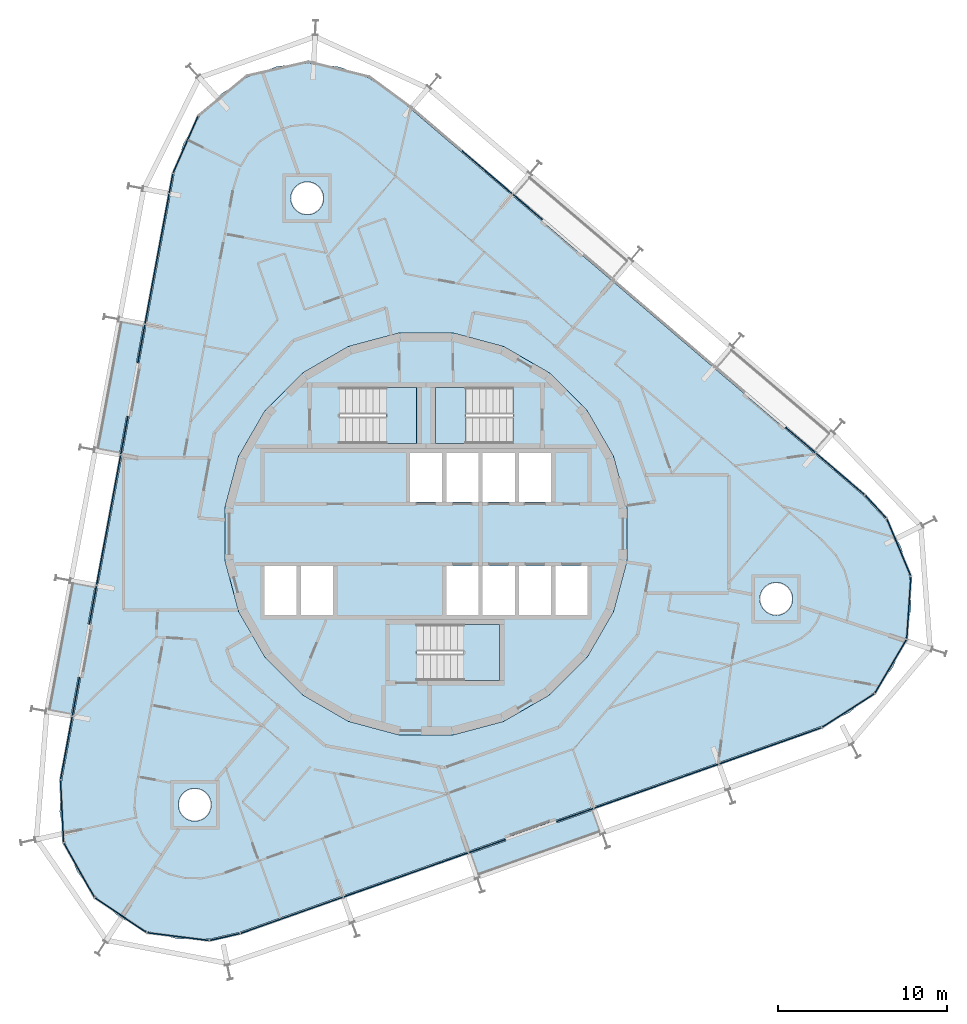
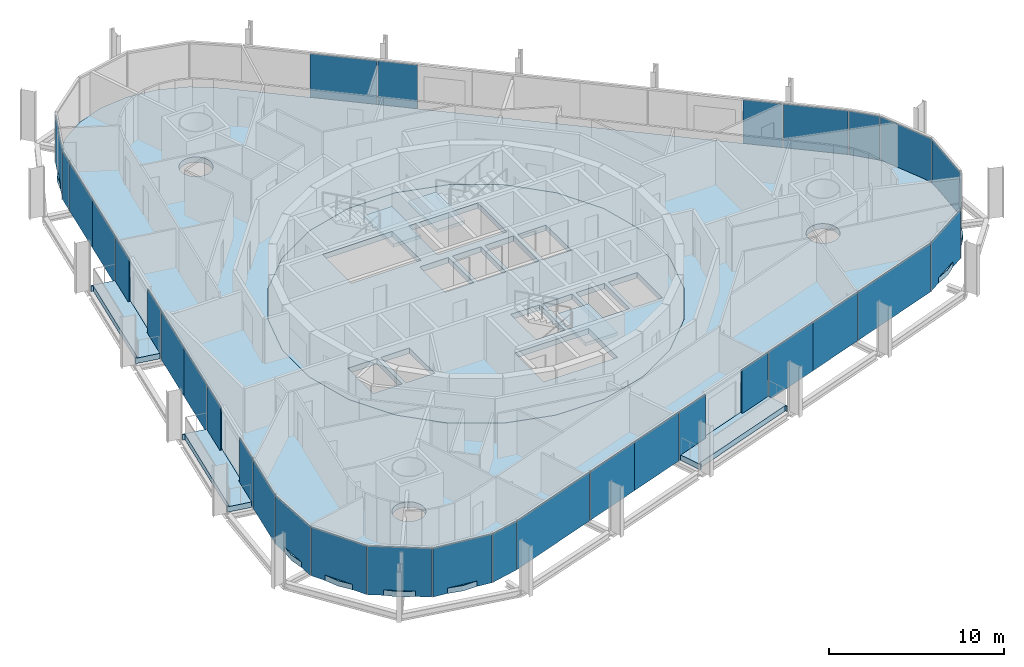
# One storey, part 9 of 17: 33 plates, 8 slabs, 9 elements without a shape of their own.
"""IFC4 building model written with IfcOpenShell, lengths in metres."""

from ifc_helpers import new_model, si_unit, direction, frame, origin, origin_2d, place, context, subcontext, project, spatial, polyline, rectangle, outline, extrude, material, layer, layer_set, type_object, element, aggregate, save


model = new_model("IFC4")

# Units and contexts
model_context = context("Model", 3, precision=1e-05, world=origin(), true_north=direction((0.0, 1.0)))
body_context = subcontext(model_context, "Body", "Model", "MODEL_VIEW")
ifc_project = project(units=[si_unit("LENGTHUNIT", "METRE"), si_unit("AREAUNIT", "SQUARE_METRE"), si_unit("VOLUMEUNIT", "CUBIC_METRE"), si_unit("PLANEANGLEUNIT", "RADIAN"), si_unit("MASSUNIT", "GRAM", prefix="KILO")], contexts=[model_context])

# Site, building, storey
site_placement = place(None, origin())
site = spatial("IfcSite", under=ifc_project, at=site_placement, CompositionType="ELEMENT")
building_placement = place(site_placement, origin())
building = spatial("IfcBuilding", under=site, at=building_placement, Name="Spindle Arch Residences", CompositionType="ELEMENT")
storey_placement = place(building_placement, frame((0.0, 0.0, 176.199951171875)))
storey = spatial("IfcBuildingStorey", under=building, at=storey_placement, Name="L44", CompositionType="ELEMENT", Elevation=176.199951171875)

# Slabs
ifc_material_1 = material(Name="Concrete C40/50", Category="concrete")
ifc_layer_1 = layer(ifc_material_1, 0.3798828125)
ifc_layer_set_1 = layer_set([ifc_layer_1], Name="Balcony slab 380")
slab_type_1 = type_object("IfcSlabType", Name="Balcony slab 380", PredefinedType="FLOOR", material=ifc_layer_set_1)
slab_1_placement = place(storey_placement, frame((0.0, 0.0, -0.3798828125)))
element("IfcSlab", 1, at=slab_1_placement, inside=storey, type_object=slab_type_1, Name="Balcony L44 bay 14", PredefinedType="FLOOR", context=body_context, shape_type="SweptSolid", body=[
    extrude(outline(polyline([(-18.1875, 12.620849609375), (-18.201171875, 12.547119140625), (-18.0537109375, 12.519775390625), (-19.431396484375, 5.086181640625), (-19.578857421875, 5.113525390625), (-19.592529296875, 5.039794921875), (-18.12744140625, 4.768310546875), (-17.716552734375, 6.985595703125), (-17.559326171875, 6.95654296875), (-16.97607421875, 10.102783203125), (-17.133544921875, 10.132080078125), (-16.722412109375, 12.349365234375), (-18.1875, 12.620849609375)])), origin(), (0.0, 0.0, 1.0), 0.3798828125),
])
slab_2_placement = place(storey_placement, frame((0.0, 0.0, -0.3798828125)))
element("IfcSlab", 2, at=slab_2_placement, inside=storey, type_object=slab_type_1, Name="Balcony L44 bay 16", PredefinedType="FLOOR", context=body_context, shape_type="SweptSolid", body=[
    extrude(outline(polyline([(-21.05224609375, -2.836181640625), (-21.06591796875, -2.909912109375), (-20.91845703125, -2.937255859375), (-22.296142578125, -10.37060546875), (-22.443603515625, -10.34326171875), (-22.457275390625, -10.4169921875), (-20.9921875, -10.6884765625), (-20.581298828125, -8.47119140625), (-20.424072265625, -8.50048828125), (-19.8408203125, -5.35400390625), (-19.998291015625, -5.324951171875), (-19.587158203125, -3.107666015625), (-21.05224609375, -2.836181640625)])), origin(), (0.0, 0.0, 1.0), 0.3798828125),
])
slab_3_placement = place(storey_placement, frame((0.0, 0.0, -0.3798828125)))
element("IfcSlab", 3, at=slab_3_placement, inside=storey, type_object=slab_type_1, Name="Balcony L44 bay 22", PredefinedType="FLOOR", context=body_context, shape_type="SweptSolid", body=[
    extrude(outline(polyline([(3.103271484375, -20.31201171875), (3.174072265625, -20.287109375), (3.1240234375, -20.145751953125), (10.250244140625, -17.6220703125), (10.300537109375, -17.763427734375), (10.37109375, -17.738525390625), (9.873779296875, -16.333984375), (7.748046875, -17.086669921875), (7.694580078125, -16.935791015625), (4.67822265625, -18.00390625), (4.731689453125, -18.15478515625), (2.60595703125, -18.907470703125), (3.103271484375, -20.31201171875)])), origin(), (0.0, 0.0, 1.0), 0.3798828125),
])
ifc_material_2 = material(Name="Concrete C50/60", Category="concrete")
ifc_layer_2 = layer(ifc_material_2, 0.3798828125)
ifc_layer_set_2 = layer_set([ifc_layer_2], Name="Core floor slab 380")
slab_type_2 = type_object("IfcSlabType", Name="Core floor slab 380", PredefinedType="FLOOR", material=ifc_layer_set_2)
slab_4_placement = place(storey_placement, frame((0.0, 0.0, -0.3798828125)))
element("IfcSlab", 4, at=slab_4_placement, inside=storey, type_object=slab_type_2, Name="Core floor L44", PredefinedType="FLOOR", context=body_context, shape_type="SweptSolid", body=[
    extrude(outline(polyline([(1.56640625, -11.897216796875), (4.59228515625, -11.086669921875), (7.30517578125, -9.520263671875), (9.520263671875, -7.30517578125), (11.086669921875, -4.59228515625), (11.897216796875, -1.56640625), (11.897216796875, 1.56640625), (11.086669921875, 4.59228515625), (9.520263671875, 7.30517578125), (7.30517578125, 9.520263671875), (4.59228515625, 11.086669921875), (1.56640625, 11.897216796875), (-1.56640625, 11.897216796875), (-4.59228515625, 11.086669921875), (-7.30517578125, 9.520263671875), (-9.520263671875, 7.30517578125), (-11.086669921875, 4.59228515625), (-11.897216796875, 1.56640625), (-11.897216796875, -1.56640625), (-11.086669921875, -4.59228515625), (-9.520263671875, -7.30517578125), (-7.30517578125, -9.520263671875), (-4.59228515625, -11.086669921875), (-1.56640625, -11.897216796875), (1.56640625, -11.897216796875)]), holes=[polyline([(-0.949951171875, 1.89990234375), (0.949951171875, 1.89990234375), (0.949951171875, 4.800048828125), (-0.949951171875, 4.800048828125), (-0.949951171875, 1.89990234375)]), polyline([(1.199951171875, 1.89990234375), (3.10009765625, 1.89990234375), (3.10009765625, 4.800048828125), (1.199951171875, 4.800048828125), (1.199951171875, 1.89990234375)]), polyline([(3.35009765625, 1.89990234375), (5.25, 1.89990234375), (5.25, 4.800048828125), (3.35009765625, 4.800048828125), (3.35009765625, 1.89990234375)]), polyline([(5.5, 1.89990234375), (7.39990234375, 1.89990234375), (7.39990234375, 4.800048828125), (5.5, 4.800048828125), (5.5, 1.89990234375)]), polyline([(-9.550048828125, -4.800048828125), (-7.64990234375, -4.800048828125), (-7.64990234375, -1.89990234375), (-9.550048828125, -1.89990234375), (-9.550048828125, -4.800048828125)]), polyline([(-7.39990234375, -4.800048828125), (-5.5, -4.800048828125), (-5.5, -1.89990234375), (-7.39990234375, -1.89990234375), (-7.39990234375, -4.800048828125)]), polyline([(1.199951171875, -4.800048828125), (3.10009765625, -4.800048828125), (3.10009765625, -1.89990234375), (1.199951171875, -1.89990234375), (1.199951171875, -4.800048828125)]), polyline([(3.35009765625, -4.800048828125), (5.25, -4.800048828125), (5.25, -1.89990234375), (3.35009765625, -1.89990234375), (3.35009765625, -4.800048828125)]), polyline([(5.5, -4.800048828125), (7.39990234375, -4.800048828125), (7.39990234375, -1.89990234375), (5.5, -1.89990234375), (5.5, -4.800048828125)]), polyline([(7.64990234375, -4.800048828125), (9.550048828125, -4.800048828125), (9.550048828125, -1.89990234375), (7.64990234375, -1.89990234375), (7.64990234375, -4.800048828125)]), polyline([(5.1298828125, 8.669921875), (0.550048828125, 8.669921875), (0.550048828125, 5.35009765625), (5.1298828125, 5.35009765625), (5.1298828125, 8.669921875)]), polyline([(-5.1298828125, 5.35009765625), (-0.550048828125, 5.35009765625), (-0.550048828125, 8.669921875), (-5.1298828125, 8.669921875), (-5.1298828125, 5.35009765625)]), polyline([(-0.530029296875, -8.669921875), (4.35009765625, -8.669921875), (4.35009765625, -5.35009765625), (-0.530029296875, -5.35009765625), (-0.530029296875, -8.669921875)])]), origin(), (0.0, 0.0, 1.0), 0.3798828125),
])

# Stair, slab
ifc_material_3 = material(Name="Concrete C50/60", Category="concrete")
stair_type = type_object("IfcStairType", Name="Exit stair 16 risers", PredefinedType="HALF_TURN_STAIR", material=ifc_material_3)
stair_1_placement = place(storey_placement, origin())
stair_1 = element("IfcStair", 5, at=stair_1_placement, inside=storey, type_object=stair_type, Name="L44 Exit stair ST1", PredefinedType="HALF_TURN_STAIR")
ifc_material_4 = material(Name="Concrete C50/60", Category="concrete")
ifc_layer_3 = layer(ifc_material_4, 0.219970703125)
ifc_layer_set_3 = layer_set([ifc_layer_3], Name="Exit stair landing 220")
slab_type_3 = type_object("IfcSlabType", Name="Exit stair landing 220", PredefinedType="LANDING", material=ifc_layer_set_3)
slab_5_placement = place(storey_placement, frame((0.0, 0.0, 1.530029296875)))
slab_5 = element("IfcSlab", 6, at=slab_5_placement, type_object=slab_type_3, Name="ST1 landing 1", PredefinedType="LANDING", context=body_context, shape_type="SweptSolid", body=[
    extrude(outline(polyline([(2.3701171875, 8.669921875), (0.550048828125, 8.669921875), (0.550048828125, 5.35009765625), (2.3701171875, 5.35009765625), (2.3701171875, 8.669921875)])), origin(), (0.0, 0.0, 1.0), 0.219970703125),
])
aggregate(stair_1, [slab_5])

stair_2_placement = place(storey_placement, origin())
stair_2 = element("IfcStair", 7, at=stair_2_placement, inside=storey, type_object=stair_type, Name="L44 Exit stair ST2", PredefinedType="HALF_TURN_STAIR")
slab_6_placement = place(storey_placement, frame((0.0, 0.0, 1.530029296875)))
slab_6 = element("IfcSlab", 8, at=slab_6_placement, type_object=slab_type_3, Name="ST2 landing 1", PredefinedType="LANDING", context=body_context, shape_type="SweptSolid", body=[
    extrude(outline(polyline([(-2.3701171875, 5.35009765625), (-0.550048828125, 5.35009765625), (-0.550048828125, 8.669921875), (-2.3701171875, 8.669921875), (-2.3701171875, 5.35009765625)])), origin(), (0.0, 0.0, 1.0), 0.219970703125),
])
aggregate(stair_2, [slab_6])

stair_3_placement = place(storey_placement, origin())
stair_3 = element("IfcStair", 9, at=stair_3_placement, inside=storey, type_object=stair_type, Name="L44 Exit stair ST3", PredefinedType="HALF_TURN_STAIR")
slab_7_placement = place(storey_placement, frame((0.0, 0.0, 1.530029296875)))
slab_7 = element("IfcSlab", 10, at=slab_7_placement, type_object=slab_type_3, Name="ST3 landing 1", PredefinedType="LANDING", context=body_context, shape_type="SweptSolid", body=[
    extrude(outline(polyline([(2.22998046875, -8.669921875), (4.35009765625, -8.669921875), (4.35009765625, -5.35009765625), (2.22998046875, -5.35009765625), (2.22998046875, -8.669921875)])), origin(), (0.0, 0.0, 1.0), 0.219970703125),
])
aggregate(stair_3, [slab_7])

# Slab
ifc_material_5 = material(Name="Concrete C40/50", Category="concrete")
ifc_layer_4 = layer(ifc_material_5, 0.3798828125)
ifc_layer_set_4 = layer_set([ifc_layer_4], Name="Floor slab 380")
slab_type_4 = type_object("IfcSlabType", Name="Floor slab 380", PredefinedType="FLOOR", material=ifc_layer_set_4)
slab_8_placement = place(storey_placement, frame((0.0, 0.0, -0.3798828125)))
element("IfcSlab", 11, at=slab_8_placement, inside=storey, type_object=slab_type_4, Name="Floor slab L44", PredefinedType="FLOOR", context=body_context, shape_type="SweptSolid", body=[
    extrude(outline(polyline([(-12.82177734375, -23.972412109375), (-14.67919921875, -23.9560546875), (-16.48291015625, -23.511962890625), (-18.135498046875, -22.663818359375), (-19.5478515625, -21.45751953125), (-20.64404296875, -19.9580078125), (-21.36474609375, -18.24609375), (-21.67138671875, -16.4140625), (-21.547119140625, -14.560791015625), (-14.89794921875, 21.3154296875), (-14.349609375, 23.090087890625), (-13.406982421875, 24.690673828125), (-12.12060546875, 26.030517578125), (-10.559814453125, 27.03759765625), (-8.808837890625, 27.65771484375), (-6.962158203125, 27.857421875), (-5.119140625, 27.62548828125), (-3.37939453125, 26.97509765625), (-1.83642578125, 25.94091796875), (25.90869140625, 2.244384765625), (27.171630859375, 0.882080078125), (28.086181640625, -0.734619140625), (28.603515625, -2.5185546875), (28.6953125, -4.373779296875), (28.356689453125, -6.2001953125), (27.606201171875, -7.8994140625), (26.48388671875, -9.37939453125), (25.05078125, -10.56103515625), (23.383544921875, -11.380126953125), (6.186279296875, -17.469970703125), (-11.0107421875, -23.559814453125), (-12.82177734375, -23.972412109375)]), holes=[polyline([(7.30517578125, -9.520263671875), (9.520263671875, -7.30517578125), (11.086669921875, -4.59228515625), (11.897216796875, -1.56640625), (11.897216796875, 1.56640625), (11.086669921875, 4.59228515625), (9.520263671875, 7.30517578125), (7.30517578125, 9.520263671875), (4.59228515625, 11.086669921875), (1.56640625, 11.897216796875), (-1.56640625, 11.897216796875), (-4.59228515625, 11.086669921875), (-7.30517578125, 9.520263671875), (-9.520263671875, 7.30517578125), (-11.086669921875, 4.59228515625), (-11.897216796875, 1.56640625), (-11.897216796875, -1.56640625), (-11.086669921875, -4.59228515625), (-9.520263671875, -7.30517578125), (-7.30517578125, -9.520263671875), (-4.59228515625, -11.086669921875), (-1.56640625, -11.897216796875), (1.56640625, -11.897216796875), (4.59228515625, -11.086669921875), (7.30517578125, -9.520263671875)]), polyline([(-12.99169921875, -16.7080078125), (-12.87060546875, -16.560302734375), (-12.780517578125, -16.3916015625), (-12.724853515625, -16.208740234375), (-12.706298828125, -16.0185546875), (-12.724853515625, -15.828369140625), (-12.780517578125, -15.6455078125), (-12.87060546875, -15.476806640625), (-12.99169921875, -15.3291015625), (-13.139404296875, -15.2080078125), (-13.30810546875, -15.117919921875), (-13.490966796875, -15.062255859375), (-13.68115234375, -15.043701171875), (-13.871337890625, -15.062255859375), (-14.05419921875, -15.117919921875), (-14.222900390625, -15.2080078125), (-14.37060546875, -15.3291015625), (-14.491943359375, -15.476806640625), (-14.58203125, -15.6455078125), (-14.637451171875, -15.828369140625), (-14.65625, -16.0185546875), (-14.637451171875, -16.208740234375), (-14.58203125, -16.3916015625), (-14.491943359375, -16.560302734375), (-14.37060546875, -16.7080078125), (-14.222900390625, -16.829345703125), (-14.05419921875, -16.91943359375), (-13.871337890625, -16.974853515625), (-13.68115234375, -16.99365234375), (-13.490966796875, -16.974853515625), (-13.30810546875, -16.91943359375), (-13.139404296875, -16.829345703125), (-12.99169921875, -16.7080078125)]), polyline([(-6.22119140625, 19.31591796875), (-6.131103515625, 19.484619140625), (-6.07568359375, 19.66748046875), (-6.056884765625, 19.857666015625), (-6.07568359375, 20.0478515625), (-6.131103515625, 20.230712890625), (-6.22119140625, 20.3994140625), (-6.342529296875, 20.547119140625), (-6.490234375, 20.668212890625), (-6.65869140625, 20.75830078125), (-6.841796875, 20.81396484375), (-7.031982421875, 20.83251953125), (-7.22216796875, 20.81396484375), (-7.405029296875, 20.75830078125), (-7.573486328125, 20.668212890625), (-7.72119140625, 20.547119140625), (-7.842529296875, 20.3994140625), (-7.9326171875, 20.230712890625), (-7.98828125, 20.0478515625), (-8.0068359375, 19.857666015625), (-7.98828125, 19.66748046875), (-7.9326171875, 19.484619140625), (-7.842529296875, 19.31591796875), (-7.72119140625, 19.168212890625), (-7.573486328125, 19.046875), (-7.405029296875, 18.956787109375), (-7.22216796875, 18.9013671875), (-7.031982421875, 18.882568359375), (-6.841796875, 18.9013671875), (-6.65869140625, 18.956787109375), (-6.490234375, 19.046875), (-6.342529296875, 19.168212890625), (-6.22119140625, 19.31591796875)]), polyline([(21.523681640625, -4.380615234375), (21.614013671875, -4.212158203125), (21.66943359375, -4.029296875), (21.68798828125, -3.839111328125), (21.66943359375, -3.648681640625), (21.614013671875, -3.4658203125), (21.523681640625, -3.29736328125), (21.402587890625, -3.149658203125), (21.2548828125, -3.0283203125), (21.086181640625, -2.938232421875), (20.9033203125, -2.8828125), (20.713134765625, -2.864013671875), (20.52294921875, -2.8828125), (20.340087890625, -2.938232421875), (20.17138671875, -3.0283203125), (20.023681640625, -3.149658203125), (19.90234375, -3.29736328125), (19.812255859375, -3.4658203125), (19.7568359375, -3.648681640625), (19.738037109375, -3.839111328125), (19.7568359375, -4.029296875), (19.812255859375, -4.212158203125), (19.90234375, -4.380615234375), (20.023681640625, -4.5283203125), (20.17138671875, -4.649658203125), (20.340087890625, -4.73974609375), (20.52294921875, -4.79541015625), (20.713134765625, -4.81396484375), (20.9033203125, -4.79541015625), (21.086181640625, -4.73974609375), (21.2548828125, -4.649658203125), (21.402587890625, -4.5283203125), (21.523681640625, -4.380615234375)])]), origin(), (0.0, 0.0, 1.0), 0.3798828125),
])

# Curtain wall, plates
ifc_material_6 = material(Name="Aluminium bronze unitised frame with tinted glass", Category="aluminium")
ifc_layer_5 = layer(ifc_material_6, 0.159912109375)
ifc_layer_set_5 = layer_set([ifc_layer_5], Name="CW-D corner wall on the fillet arcs")
curtain_wall_type_1 = type_object("IfcCurtainWallType", Name="CW-D corner wall on the fillet arcs", PredefinedType="NOTDEFINED", material=ifc_layer_set_5)
curtain_wall_1_placement = place(storey_placement, origin())
curtain_wall_1 = element("IfcCurtainWall", 12, at=curtain_wall_1_placement, inside=storey, type_object=curtain_wall_type_1, Name="CW-D L44 run 1", PredefinedType="NOTDEFINED")
ifc_material_7 = material(Name="Tinted double glazing over aluminium faced non-combustible spandrel zone (K0)", Category="aluminium")
ifc_layer_6 = layer(ifc_material_7, 0.06005859375)
ifc_layer_set_6 = layer_set([ifc_layer_6], Name="Unitised glass panel with E 60 spandrel zone")
plate_type = type_object("IfcPlateType", Name="Unitised glass panel with E 60 spandrel zone", PredefinedType="CURTAIN_PANEL", material=ifc_layer_set_6)
plate_1_placement = place(storey_placement, frame((20.36865234375, -12.53271484375, -0.3798828125), z_axis=(0.0, 0.0, 1.0), x_axis=(0.942641491092, 0.333806859234, 0.0)))
plate_1 = element("IfcPlate", 13, at=plate_1_placement, type_object=plate_type, Name="CW-D unit 00", PredefinedType="CURTAIN_PANEL", context=body_context, shape_type="SweptSolid", body=[
    extrude(rectangle(XDim=6.3935546875, YDim=0.06005859375, at=origin_2d()), origin(), (0.0, 0.0, 1.0), 3.3798828125),
])
plate_2_placement = place(storey_placement, frame((24.97607421875, -10.445068359375, -0.3798828125), z_axis=(0.0, 0.0, 1.0), x_axis=(0.840251309898, 0.542197137778, 0.0)))
plate_2 = element("IfcPlate", 14, at=plate_2_placement, type_object=plate_type, Name="CW-D unit 01", PredefinedType="CURTAIN_PANEL", context=body_context, shape_type="SweptSolid", body=[
    extrude(rectangle(XDim=3.666748046875, YDim=0.06005859375, at=origin_2d()), origin(), (0.0, 0.0, 1.0), 3.3798828125),
])
plate_3_placement = place(storey_placement, frame((27.487548828125, -7.829345703125, -0.3798828125), z_axis=(0.0, 0.0, 1.0), x_axis=(0.507538365713, 0.86162915882, 0.0)))
plate_3 = element("IfcPlate", 15, at=plate_3_placement, type_object=plate_type, Name="CW-D unit 02", PredefinedType="CURTAIN_PANEL", context=body_context, shape_type="SweptSolid", body=[
    extrude(rectangle(XDim=3.666748046875, YDim=0.06005859375, at=origin_2d()), origin(), (0.0, 0.0, 1.0), 3.3798828125),
])
plate_4_placement = place(storey_placement, frame((28.557861328125, -4.364501953125, -0.3798828125), z_axis=(0.0, 0.0, 1.0), x_axis=(0.066854392204, 0.997762742461, 0.0)))
plate_4 = element("IfcPlate", 16, at=plate_4_placement, type_object=plate_type, Name="CW-D unit 03", PredefinedType="CURTAIN_PANEL", context=body_context, shape_type="SweptSolid", body=[
    extrude(rectangle(XDim=3.666748046875, YDim=0.06005859375, at=origin_2d()), origin(), (0.0, 0.0, 1.0), 3.3798828125),
])
plate_5_placement = place(storey_placement, frame((27.959228515625, -0.7880859375, -0.3798828125), z_axis=(0.0, 0.0, 1.0), x_axis=(-0.388051836633, 0.921637549195, 0.0)))
plate_5 = element("IfcPlate", 17, at=plate_5_placement, type_object=plate_type, Name="CW-D unit 04", PredefinedType="CURTAIN_PANEL", context=body_context, shape_type="SweptSolid", body=[
    extrude(rectangle(XDim=3.666748046875, YDim=0.06005859375, at=origin_2d()), origin(), (0.0, 0.0, 1.0), 3.3798828125),
])
plate_6_placement = place(storey_placement, frame((26.598388671875, 1.6171875, -0.3798828125), z_axis=(0.0, 0.0, 1.0), x_axis=(-0.679868057543, 0.733334455983, 0.0)))
plate_6 = element("IfcPlate", 18, at=plate_6_placement, type_object=plate_type, Name="CW-D unit 05", PredefinedType="CURTAIN_PANEL", context=body_context, shape_type="SweptSolid", body=[
    extrude(rectangle(XDim=1.816162109375, YDim=0.06005859375, at=origin_2d()), origin(), (0.0, 0.0, 1.0), 3.3798828125),
])
plate_7_placement = place(storey_placement, frame((24.503173828125, 3.550048828125, -0.3798828125), z_axis=(0.0, 0.0, 1.0), x_axis=(-0.7604059656, 0.64944804833, 0.0)))
plate_7 = element("IfcPlate", 19, at=plate_7_placement, type_object=plate_type, Name="CW-D unit 06", PredefinedType="CURTAIN_PANEL", context=body_context, shape_type="SweptSolid", body=[
    extrude(rectangle(XDim=3.7734375, YDim=0.06005859375, at=origin_2d()), origin(), (0.0, 0.0, 1.0), 3.3798828125),
])
aggregate(curtain_wall_1, [plate_1, plate_2, plate_3, plate_4, plate_5, plate_6, plate_7])

ifc_material_8 = material(Name="Aluminium bronze unitised frame with tinted glass", Category="aluminium")
ifc_layer_7 = layer(ifc_material_8, 0.159912109375)
ifc_layer_set_7 = layer_set([ifc_layer_7], Name="CW-C typical residential unitised wall")
curtain_wall_type_2 = type_object("IfcCurtainWallType", Name="CW-C typical residential unitised wall", PredefinedType="NOTDEFINED", material=ifc_layer_set_7)
curtain_wall_2_placement = place(storey_placement, origin())
curtain_wall_2 = element("IfcCurtainWall", 20, at=curtain_wall_2_placement, inside=storey, type_object=curtain_wall_type_2, Name="CW-C L44 run 2", PredefinedType="NOTDEFINED")
plate_8_placement = place(storey_placement, frame((22.1484375, 5.56103515625, -0.3798828125), z_axis=(0.0, 0.0, 1.0), x_axis=(-0.7604059656, 0.64944804833, 0.0)))
plate_8 = element("IfcPlate", 21, at=plate_8_placement, type_object=plate_type, Name="CW-C unit 05L", PredefinedType="CURTAIN_PANEL", context=body_context, shape_type="SweptSolid", body=[
    extrude(rectangle(XDim=2.300048828125, YDim=0.06005859375, at=origin_2d()), origin(), (0.0, 0.0, 1.0), 3.3798828125),
])
plate_9_placement = place(storey_placement, frame((6.012451171875, 19.342529296875, -0.3798828125), z_axis=(0.0, 0.0, 1.0), x_axis=(-0.7604059656, 0.64944804833, 0.0)))
plate_9 = element("IfcPlate", 22, at=plate_9_placement, type_object=plate_type, Name="CW-C unit 07R", PredefinedType="CURTAIN_PANEL", context=body_context, shape_type="SweptSolid", body=[
    extrude(rectangle(XDim=2.300048828125, YDim=0.06005859375, at=origin_2d()), origin(), (0.0, 0.0, 1.0), 3.3798828125),
])
plate_10_placement = place(storey_placement, frame((3.609619140625, 21.394775390625, -0.3798828125), z_axis=(0.0, 0.0, 1.0), x_axis=(-0.7604059656, 0.64944804833, 0.0)))
plate_10 = element("IfcPlate", 23, at=plate_10_placement, type_object=plate_type, Name="CW-C unit 08A", PredefinedType="CURTAIN_PANEL", context=body_context, shape_type="SweptSolid", body=[
    extrude(rectangle(XDim=3.900146484375, YDim=0.06005859375, at=origin_2d()), origin(), (0.0, 0.0, 1.0), 3.3798828125),
])
aggregate(curtain_wall_2, [plate_8, plate_9, plate_10])

curtain_wall_3_placement = place(storey_placement, origin())
curtain_wall_3 = element("IfcCurtainWall", 24, at=curtain_wall_3_placement, inside=storey, type_object=curtain_wall_type_1, Name="CW-D L44 run 3", PredefinedType="NOTDEFINED")
plate_11_placement = place(storey_placement, frame((-14.2236328125, 23.034423828125, -0.3798828125), z_axis=(0.0, 0.0, 1.0), x_axis=(-0.404077526853, -0.914724741271, 0.0)))
plate_11 = element("IfcPlate", 25, at=plate_11_placement, type_object=plate_type, Name="CW-D unit 04", PredefinedType="CURTAIN_PANEL", context=body_context, shape_type="SweptSolid", body=[
    extrude(rectangle(XDim=3.666748046875, YDim=0.06005859375, at=origin_2d()), origin(), (0.0, 0.0, 1.0), 3.3798828125),
])
plate_12_placement = place(storey_placement, frame((-15.087158203125, 20.7333984375, -0.3798828125), z_axis=(0.0, 0.0, 1.0), x_axis=(-0.182235525492, -0.983254907564, 0.0)))
plate_12 = element("IfcPlate", 26, at=plate_12_placement, type_object=plate_type, Name="CW-D unit 05", PredefinedType="CURTAIN_PANEL", context=body_context, shape_type="SweptSolid", body=[
    extrude(rectangle(XDim=1.1533203125, YDim=0.06005859375, at=origin_2d()), origin(), (0.0, 0.0, 1.0), 3.3798828125),
])
aggregate(curtain_wall_3, [plate_11, plate_12])

curtain_wall_4_placement = place(storey_placement, origin())
curtain_wall_4 = element("IfcCurtainWall", 27, at=curtain_wall_4_placement, inside=storey, type_object=curtain_wall_type_2, Name="CW-C L44 run 4", PredefinedType="NOTDEFINED")
plate_13_placement = place(storey_placement, frame((-15.55859375, 18.190185546875, -0.3798828125), z_axis=(0.0, 0.0, 1.0), x_axis=(-0.182235525492, -0.983254907564, 0.0)))
plate_13 = element("IfcPlate", 28, at=plate_13_placement, type_object=plate_type, Name="CW-C unit 12A", PredefinedType="CURTAIN_PANEL", context=body_context, shape_type="SweptSolid", body=[
    extrude(rectangle(XDim=3.900146484375, YDim=0.06005859375, at=origin_2d()), origin(), (0.0, 0.0, 1.0), 3.3798828125),
])
plate_14_placement = place(storey_placement, frame((-16.269287109375, 14.355224609375, -0.3798828125), z_axis=(0.0, 0.0, 1.0), x_axis=(-0.182235525492, -0.983254907564, 0.0)))
plate_14 = element("IfcPlate", 29, at=plate_14_placement, type_object=plate_type, Name="CW-C unit 12B", PredefinedType="CURTAIN_PANEL", context=body_context, shape_type="SweptSolid", body=[
    extrude(rectangle(XDim=3.900146484375, YDim=0.06005859375, at=origin_2d()), origin(), (0.0, 0.0, 1.0), 3.3798828125),
])
plate_15_placement = place(storey_placement, frame((-16.84521484375, 11.248291015625, -0.3798828125), z_axis=(0.0, 0.0, 1.0), x_axis=(-0.182235525492, -0.983254907564, 0.0)))
plate_15 = element("IfcPlate", 30, at=plate_15_placement, type_object=plate_type, Name="CW-C unit 13L", PredefinedType="CURTAIN_PANEL", context=body_context, shape_type="SweptSolid", body=[
    extrude(rectangle(XDim=2.300048828125, YDim=0.06005859375, at=origin_2d()), origin(), (0.0, 0.0, 1.0), 3.3798828125),
])
plate_16_placement = place(storey_placement, frame((-17.847412109375, 5.84033203125, -0.3798828125), z_axis=(0.0, 0.0, 1.0), x_axis=(-0.182235525492, -0.983254907564, 0.0)))
plate_16 = element("IfcPlate", 31, at=plate_16_placement, type_object=plate_type, Name="CW-C unit 13R", PredefinedType="CURTAIN_PANEL", context=body_context, shape_type="SweptSolid", body=[
    extrude(rectangle(XDim=2.300048828125, YDim=0.06005859375, at=origin_2d()), origin(), (0.0, 0.0, 1.0), 3.3798828125),
])
plate_17_placement = place(storey_placement, frame((-18.42333984375, 2.733154296875, -0.3798828125), z_axis=(0.0, 0.0, 1.0), x_axis=(-0.182235525492, -0.983254907564, 0.0)))
plate_17 = element("IfcPlate", 32, at=plate_17_placement, type_object=plate_type, Name="CW-C unit 14A", PredefinedType="CURTAIN_PANEL", context=body_context, shape_type="SweptSolid", body=[
    extrude(rectangle(XDim=3.900146484375, YDim=0.06005859375, at=origin_2d()), origin(), (0.0, 0.0, 1.0), 3.3798828125),
])
plate_18_placement = place(storey_placement, frame((-19.134033203125, -1.1015625, -0.3798828125), z_axis=(0.0, 0.0, 1.0), x_axis=(-0.182235525492, -0.983254907564, 0.0)))
plate_18 = element("IfcPlate", 33, at=plate_18_placement, type_object=plate_type, Name="CW-C unit 14B", PredefinedType="CURTAIN_PANEL", context=body_context, shape_type="SweptSolid", body=[
    extrude(rectangle(XDim=3.900146484375, YDim=0.06005859375, at=origin_2d()), origin(), (0.0, 0.0, 1.0), 3.3798828125),
])
plate_19_placement = place(storey_placement, frame((-19.7099609375, -4.208740234375, -0.3798828125), z_axis=(0.0, 0.0, 1.0), x_axis=(-0.182235525492, -0.983254907564, 0.0)))
plate_19 = element("IfcPlate", 34, at=plate_19_placement, type_object=plate_type, Name="CW-C unit 15L", PredefinedType="CURTAIN_PANEL", context=body_context, shape_type="SweptSolid", body=[
    extrude(rectangle(XDim=2.300048828125, YDim=0.06005859375, at=origin_2d()), origin(), (0.0, 0.0, 1.0), 3.3798828125),
])
plate_20_placement = place(storey_placement, frame((-20.712158203125, -9.61669921875, -0.3798828125), z_axis=(0.0, 0.0, 1.0), x_axis=(-0.182235525492, -0.983254907564, 0.0)))
plate_20 = element("IfcPlate", 35, at=plate_20_placement, type_object=plate_type, Name="CW-C unit 15R", PredefinedType="CURTAIN_PANEL", context=body_context, shape_type="SweptSolid", body=[
    extrude(rectangle(XDim=2.300048828125, YDim=0.06005859375, at=origin_2d()), origin(), (0.0, 0.0, 1.0), 3.3798828125),
])
aggregate(curtain_wall_4, [plate_13, plate_14, plate_15, plate_16, plate_17, plate_18, plate_19, plate_20])

curtain_wall_5_placement = place(storey_placement, origin())
curtain_wall_5 = element("IfcCurtainWall", 36, at=curtain_wall_5_placement, inside=storey, type_object=curtain_wall_type_1, Name="CW-D L44 run 5", PredefinedType="NOTDEFINED")
plate_21_placement = place(storey_placement, frame((-21.276611328125, -12.66162109375, -0.3798828125), z_axis=(0.0, 0.0, 1.0), x_axis=(-0.182235525492, -0.983254907564, 0.0)))
plate_21 = element("IfcPlate", 37, at=plate_21_placement, type_object=plate_type, Name="CW-D unit 00", PredefinedType="CURTAIN_PANEL", context=body_context, shape_type="SweptSolid", body=[
    extrude(rectangle(XDim=3.7734375, YDim=0.06005859375, at=origin_2d()), origin(), (0.0, 0.0, 1.0), 3.3798828125),
])
plate_22_placement = place(storey_placement, frame((-21.53369140625, -16.4072265625, -0.3798828125), z_axis=(0.0, 0.0, 1.0), x_axis=(0.049430843939, -0.99877754864, 0.0)))
plate_22 = element("IfcPlate", 38, at=plate_22_placement, type_object=plate_type, Name="CW-D unit 01", PredefinedType="CURTAIN_PANEL", context=body_context, shape_type="SweptSolid", body=[
    extrude(rectangle(XDim=3.666748046875, YDim=0.06005859375, at=origin_2d()), origin(), (0.0, 0.0, 1.0), 3.3798828125),
])
plate_23_placement = place(storey_placement, frame((-20.524169921875, -19.89013671875, -0.3798828125), z_axis=(0.0, 0.0, 1.0), x_axis=(0.492423562185, -0.870355694762, 0.0)))
plate_23 = element("IfcPlate", 39, at=plate_23_placement, type_object=plate_type, Name="CW-D unit 02", PredefinedType="CURTAIN_PANEL", context=body_context, shape_type="SweptSolid", body=[
    extrude(rectangle(XDim=3.666748046875, YDim=0.06005859375, at=origin_2d()), origin(), (0.0, 0.0, 1.0), 3.3798828125),
])
plate_24_placement = place(storey_placement, frame((-18.05859375, -22.549560546875, -0.3798828125), z_axis=(0.0, 0.0, 1.0), x_axis=(0.830660688705, -0.556778968928, 0.0)))
plate_24 = element("IfcPlate", 40, at=plate_24_placement, type_object=plate_type, Name="CW-D unit 03", PredefinedType="CURTAIN_PANEL", context=body_context, shape_type="SweptSolid", body=[
    extrude(rectangle(XDim=3.666748046875, YDim=0.06005859375, at=origin_2d()), origin(), (0.0, 0.0, 1.0), 3.3798828125),
])
plate_25_placement = place(storey_placement, frame((-14.662109375, -23.8193359375, -0.3798828125), z_axis=(0.0, 0.0, 1.0), x_axis=(0.992187449327, -0.12475602349, 0.0)))
plate_25 = element("IfcPlate", 41, at=plate_25_placement, type_object=plate_type, Name="CW-D unit 04", PredefinedType="CURTAIN_PANEL", context=body_context, shape_type="SweptSolid", body=[
    extrude(rectangle(XDim=3.666748046875, YDim=0.06005859375, at=origin_2d()), origin(), (0.0, 0.0, 1.0), 3.3798828125),
])
plate_26_placement = place(storey_placement, frame((-11.898681640625, -23.843505859375, -0.3798828125), z_axis=(0.0, 0.0, 1.0), x_axis=(0.975020297465, 0.222115779565, 0.0)))
plate_26 = element("IfcPlate", 42, at=plate_26_placement, type_object=plate_type, Name="CW-D unit 05", PredefinedType="CURTAIN_PANEL", context=body_context, shape_type="SweptSolid", body=[
    extrude(rectangle(XDim=1.816162109375, YDim=0.06005859375, at=origin_2d()), origin(), (0.0, 0.0, 1.0), 3.3798828125),
])
plate_27_placement = place(storey_placement, frame((-7.9423828125, -22.55810546875, -0.3798828125), z_axis=(0.0, 0.0, 1.0), x_axis=(0.942641491092, 0.333806859234, 0.0)))
plate_27 = element("IfcPlate", 43, at=plate_27_placement, type_object=plate_type, Name="CW-D unit 06", PredefinedType="CURTAIN_PANEL", context=body_context, shape_type="SweptSolid", body=[
    extrude(rectangle(XDim=6.3935546875, YDim=0.06005859375, at=origin_2d()), origin(), (0.0, 0.0, 1.0), 3.3798828125),
])
aggregate(curtain_wall_5, [plate_21, plate_22, plate_23, plate_24, plate_25, plate_26, plate_27])

curtain_wall_6_placement = place(storey_placement, origin())
curtain_wall_6 = element("IfcCurtainWall", 44, at=curtain_wall_6_placement, inside=storey, type_object=curtain_wall_type_2, Name="CW-C L44 run 6", PredefinedType="NOTDEFINED")
plate_28_placement = place(storey_placement, frame((-3.0341796875, -20.820068359375, -0.3798828125), z_axis=(0.0, 0.0, 1.0), x_axis=(0.942641491092, 0.333806859234, 0.0)))
plate_28 = element("IfcPlate", 45, at=plate_28_placement, type_object=plate_type, Name="CW-C unit 20A", PredefinedType="CURTAIN_PANEL", context=body_context, shape_type="SweptSolid", body=[
    extrude(rectangle(XDim=3.900146484375, YDim=0.06005859375, at=origin_2d()), origin(), (0.0, 0.0, 1.0), 3.3798828125),
])
plate_29_placement = place(storey_placement, frame((0.64208984375, -19.51806640625, -0.3798828125), z_axis=(0.0, 0.0, 1.0), x_axis=(0.942641491092, 0.333806859234, 0.0)))
plate_29 = element("IfcPlate", 46, at=plate_29_placement, type_object=plate_type, Name="CW-C unit 20B", PredefinedType="CURTAIN_PANEL", context=body_context, shape_type="SweptSolid", body=[
    extrude(rectangle(XDim=3.900146484375, YDim=0.06005859375, at=origin_2d()), origin(), (0.0, 0.0, 1.0), 3.3798828125),
])
plate_30_placement = place(storey_placement, frame((3.620849609375, -18.46337890625, -0.3798828125), z_axis=(0.0, 0.0, 1.0), x_axis=(0.942641491092, 0.333806859234, 0.0)))
plate_30 = element("IfcPlate", 47, at=plate_30_placement, type_object=plate_type, Name="CW-C unit 21L", PredefinedType="CURTAIN_PANEL", context=body_context, shape_type="SweptSolid", body=[
    extrude(rectangle(XDim=2.300048828125, YDim=0.06005859375, at=origin_2d()), origin(), (0.0, 0.0, 1.0), 3.3798828125),
])
plate_31_placement = place(storey_placement, frame((8.805419921875, -16.62744140625, -0.3798828125), z_axis=(0.0, 0.0, 1.0), x_axis=(0.942641491092, 0.333806859234, 0.0)))
plate_31 = element("IfcPlate", 48, at=plate_31_placement, type_object=plate_type, Name="CW-C unit 21R", PredefinedType="CURTAIN_PANEL", context=body_context, shape_type="SweptSolid", body=[
    extrude(rectangle(XDim=2.300048828125, YDim=0.06005859375, at=origin_2d()), origin(), (0.0, 0.0, 1.0), 3.3798828125),
])
plate_32_placement = place(storey_placement, frame((11.7841796875, -15.572509765625, -0.3798828125), z_axis=(0.0, 0.0, 1.0), x_axis=(0.942641491092, 0.333806859234, 0.0)))
plate_32 = element("IfcPlate", 49, at=plate_32_placement, type_object=plate_type, Name="CW-C unit 00A", PredefinedType="CURTAIN_PANEL", context=body_context, shape_type="SweptSolid", body=[
    extrude(rectangle(XDim=3.900146484375, YDim=0.06005859375, at=origin_2d()), origin(), (0.0, 0.0, 1.0), 3.3798828125),
])
plate_33_placement = place(storey_placement, frame((15.46044921875, -14.270751953125, -0.3798828125), z_axis=(0.0, 0.0, 1.0), x_axis=(0.942641491092, 0.333806859234, 0.0)))
plate_33 = element("IfcPlate", 50, at=plate_33_placement, type_object=plate_type, Name="CW-C unit 00B", PredefinedType="CURTAIN_PANEL", context=body_context, shape_type="SweptSolid", body=[
    extrude(rectangle(XDim=3.900146484375, YDim=0.06005859375, at=origin_2d()), origin(), (0.0, 0.0, 1.0), 3.3798828125),
])
aggregate(curtain_wall_6, [plate_28, plate_29, plate_30, plate_31, plate_32, plate_33])

save(model, "model.ifc")
